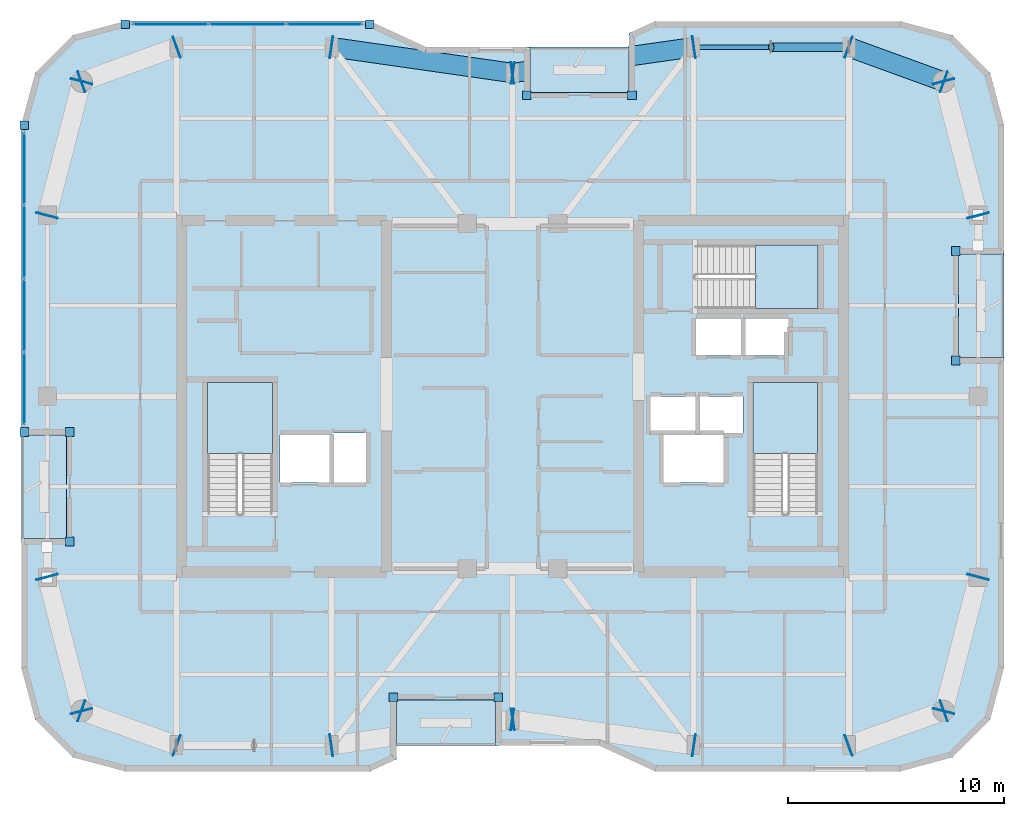
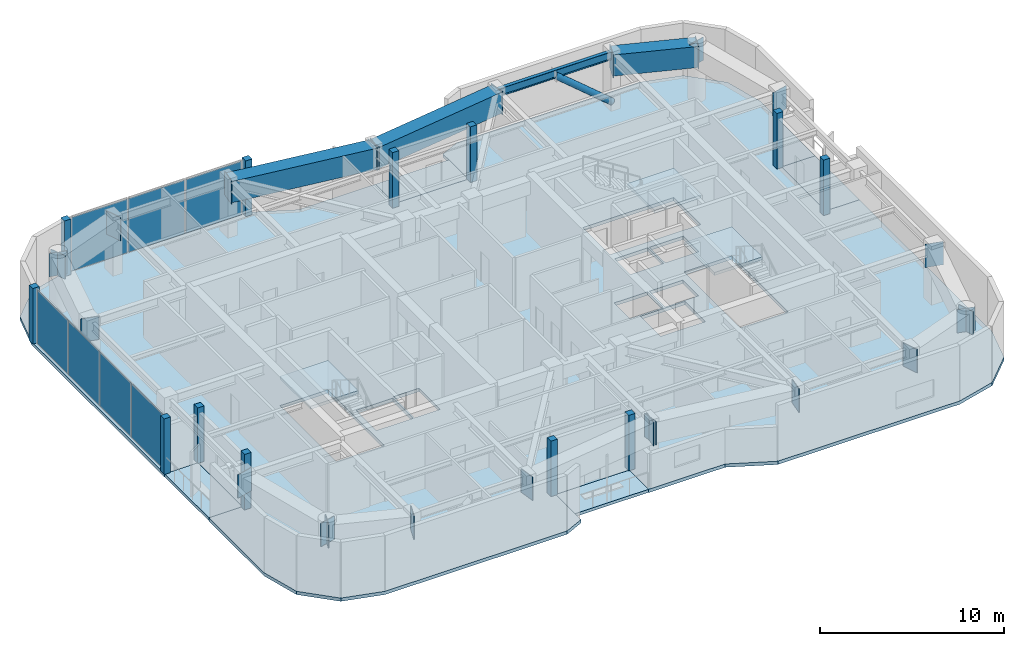
# One storey, part 7 of 15: 43 plates, 8 slabs, 4 beams, 1 member, 5 elements without a shape of their own.
"""IFC4 building model written with IfcOpenShell, lengths in metres."""

from ifc_helpers import new_model, si_unit, direction, frame, origin, origin_2d, place, context, subcontext, project, spatial, polyline, rectangle, hollow_rectangle, hollow_circle, i_section, outline, extrude, material, layer, layer_set, material_profile, profile_set, type_object, element, aggregate, save


model = new_model("IFC4")

# Units and contexts
model_context = context("Model", 3, precision=1e-05, world=origin(), true_north=direction((0.0, 1.0)))
body_context = subcontext(model_context, "Body", "Model", "MODEL_VIEW")
ifc_project = project(units=[si_unit("LENGTHUNIT", "METRE"), si_unit("AREAUNIT", "SQUARE_METRE"), si_unit("VOLUMEUNIT", "CUBIC_METRE"), si_unit("PLANEANGLEUNIT", "RADIAN"), si_unit("MASSUNIT", "GRAM", prefix="KILO")], contexts=[model_context])

# Site, building, storey
site_placement = place(None, origin())
site = spatial("IfcSite", under=ifc_project, at=site_placement, CompositionType="ELEMENT")
building_placement = place(site_placement, origin())
building = spatial("IfcBuilding", under=site, at=building_placement, Name="Kiyonajd Concourse Tower", CompositionType="ELEMENT")
storey_placement = place(building_placement, frame((0.0, 0.0, 318.0)))
storey = spatial("IfcBuildingStorey", under=building, at=storey_placement, Name="L80", CompositionType="ELEMENT", Elevation=318.0)

# Beams
ifc_material_1 = material(Name="Steel ASTM A992 Grade 50", Category="steel")
ifc_material_profile_1 = material_profile(ifc_material_1, i_section(OverallWidth=0.2109375, OverallDepth=0.5390625, WebThickness=0.01171875, FlangeThickness=0.018798828125, at=origin_2d()), Name="W530X109")
ifc_profile_set_1 = profile_set([ifc_material_profile_1], Name="Steel ASTM A992 Grade 50")
beam_type_1 = type_object("IfcBeamType", Name="BM-SPAN-530B", PredefinedType="SPANDREL", material=ifc_profile_set_1)
beam_1_placement = place(storey_placement, frame((63.60009765625, 52.199951171875, 3.410400390625), z_axis=(-1.0, 0.0, 0.0), x_axis=(0.0, -1.0, 0.0)))
element("IfcBeam", 1, at=beam_1_placement, inside=storey, type_object=beam_type_1, Name="L80 Perimeter Bundled Tube Spandrel", PredefinedType="SPANDREL", context=body_context, shape_type="SweptSolid", body=[
    extrude(i_section(OverallWidth=0.2109375, OverallDepth=0.5390625, WebThickness=0.01171875, FlangeThickness=0.018798828125, at=origin_2d()), origin(), (0.0, 0.0, 1.0), 7.2001953125),
])
ifc_material_2 = material(Name="Steel ASTM A572 Grade 50", Category="steel")
ifc_material_profile_2 = material_profile(ifc_material_2, hollow_rectangle(XDim=0.89990234375, YDim=1.39990234375, WallThickness=0.070068359375, at=origin_2d()), Name="BOX-1400x900x70")
ifc_profile_set_2 = profile_set([ifc_material_profile_2], Name="Steel ASTM A572 Grade 50")
beam_type_2 = type_object("IfcBeamType", Name="BM-XFER-1400", PredefinedType="BEAM", material=ifc_profile_set_2)
beam_2_placement = place(storey_placement, frame((68.0, 50.60009765625, 2.97998046875), z_axis=(-0.939801036019, 0.341722127901, 0.0), x_axis=(-0.341722127901, -0.939801036019, 0.0)))
element("IfcBeam", 2, at=beam_2_placement, inside=storey, type_object=beam_type_2, Name="L80 Perimeter Bundled Tube Spandrel", PredefinedType="BEAM", context=body_context, shape_type="SweptSolid", body=[
    extrude(hollow_rectangle(XDim=0.89990234375, YDim=1.39990234375, WallThickness=0.070068359375, at=origin_2d()), origin(), (0.0, 0.0, 1.0), 4.681640625),
])
for number, where, z_axis, x_axis, name in (
    (3, (56.39990234375, 52.199951171875, 2.97998046875), (-0.989950069105, -0.141417328072, 0.0), (0.141417328072, -0.989950069105, 0.0), "L80 Perimeter Bundled Tube Spandrel"),
    (4, (48.0, 51.0, 2.97998046875), (-0.989950069105, 0.141417328072, 0.0), (-0.141417328072, -0.989950069105, 0.0), "L80 Perimeter Bundled Tube Spandrel"),
):
    element("IfcBeam", number, at=place(storey_placement, frame(where, z_axis=z_axis, x_axis=x_axis)), inside=storey, type_object=beam_type_2, Name=name, PredefinedType="BEAM", context=body_context, shape_type="SweptSolid", body=[
        extrude(hollow_rectangle(XDim=0.89990234375, YDim=1.39990234375, WallThickness=0.070068359375, at=origin_2d()), origin(), (0.0, 0.0, 1.0), 8.485107421875),
    ])

# Member
ifc_material_3 = material(Name="Steel ASTM A500 Grade C", Category="steel")
ifc_material_profile_3 = material_profile(ifc_material_3, hollow_circle(Radius=0.202880859375, WallThickness=0.01904296875, at=origin_2d()), Name="CHS-406x19")
ifc_profile_set_3 = profile_set([ifc_material_profile_3], Name="Steel ASTM A500 Grade C")
member_type = type_object("IfcMemberType", Name="MB-PB-HIGH", PredefinedType="BRACE", material=ifc_profile_set_3)
member_placement = place(storey_placement, frame((63.60009765625, 52.199951171875, 0.300048828125), z_axis=(-0.765082043761, 0.0, 0.643932811957), x_axis=(0.0, -1.0, 0.0)))
element("IfcMember", 5, at=member_placement, inside=storey, type_object=member_type, Name="L80 Upper Zone Hollow Tube Brace PBN", PredefinedType="BRACE", context=body_context, shape_type="SweptSolid", body=[
    extrude(hollow_circle(Radius=0.202880859375, WallThickness=0.01904296875, at=origin_2d()), origin(), (0.0, 0.0, 1.0), 4.70556640625),
])

# Plates
ifc_layer_1 = layer(ifc_material_2, 0.031982421875)
ifc_layer_set_1 = layer_set([ifc_layer_1], Name="Steel ASTM A572 Grade 50")
plate_type_1 = type_object("IfcPlateType", Name="PL-CAP-540", PredefinedType="USERDEFINED", material=ifc_layer_set_1)
for number, where, z_axis, x_axis, name in (
    (6, (26.397216796875, 27.610595703125, 2.2099609375), (0.0, 0.0, 1.0), (-0.249873048837, 0.968278606324, 0.0), "L80 Welded Box Girder End Cap"),
    (7, (28.002685546875, 21.389404296875, 2.2099609375), (0.0, 0.0, 1.0), (0.249873048837, -0.968278606324, 0.0), "L80 Welded Box Girder End Cap"),
    (8, (27.98974609375, 21.40380859375, 2.2099609375), (0.0, 0.0, 1.0), (-0.939811951086, 0.341692107891, 0.0), "L80 Welded Box Girder End Cap"),
    (9, (32.410400390625, 19.796142578125, 2.2099609375), (0.0, 0.0, 1.0), (0.939811951086, -0.341692107891, 0.0), "L80 Welded Box Girder End Cap"),
    (10, (39.589111328125, 19.79833984375, 2.2099609375), (0.0, 0.0, 1.0), (-0.989949746297, -0.141419587774, 0.0), "L80 Welded Box Girder End Cap"),
    (11, (48.010986328125, 21.001708984375, 2.2099609375), (0.0, 0.0, 1.0), (0.989949746297, 0.141419587774, 0.0), "L80 Welded Box Girder End Cap"),
    (12, (47.989013671875, 21.001708984375, 2.2099609375), (0.0, 0.0, 1.0), (-0.989949746297, 0.141419587774, 0.0), "L80 Welded Box Girder End Cap"),
    (13, (56.410888671875, 19.79833984375, 2.2099609375), (0.0, 0.0, 1.0), (0.989949746297, -0.141419587774, 0.0), "L80 Welded Box Girder End Cap"),
    (14, (63.589599609375, 19.796142578125, 2.2099609375), (0.0, 0.0, 1.0), (-0.939811951086, -0.341692107891, 0.0), "L80 Welded Box Girder End Cap"),
    (15, (68.01025390625, 21.40380859375, 2.2099609375), (0.0, 0.0, 1.0), (0.939811951086, 0.341692107891, 0.0), "L80 Welded Box Girder End Cap"),
    (16, (67.997314453125, 21.389404296875, 2.2099609375), (0.0, 0.0, 1.0), (-0.249873048837, -0.968278606324, 0.0), "L80 Welded Box Girder End Cap"),
    (17, (69.602783203125, 27.610595703125, 2.2099609375), (0.0, 0.0, 1.0), (0.249873048837, 0.968278606324, 0.0), "L80 Welded Box Girder End Cap"),
    (18, (69.602783203125, 44.389404296875, 2.2099609375), (0.0, 0.0, 1.0), (0.249873048837, -0.968278606324, 0.0), "L80 Welded Box Girder End Cap"),
    (19, (67.997314453125, 50.610595703125, 2.2099609375), (0.0, 0.0, 1.0), (-0.249873048837, 0.968278606324, 0.0), "L80 Welded Box Girder End Cap"),
    (20, (68.01025390625, 50.59619140625, 2.2099609375), (0.0, 0.0, 1.0), (0.939811951086, -0.341692107891, 0.0), "L80 Welded Box Girder End Cap"),
    (21, (63.589599609375, 52.203857421875, 2.2099609375), (0.0, 0.0, 1.0), (-0.939811951086, 0.341692107891, 0.0), "L80 Welded Box Girder End Cap"),
    (22, (56.410888671875, 52.20166015625, 2.2099609375), (0.0, 0.0, 1.0), (0.989949746297, 0.141419587774, 0.0), "L80 Welded Box Girder End Cap"),
    (23, (47.989013671875, 50.998291015625, 2.2099609375), (0.0, 0.0, 1.0), (-0.989949746297, -0.141419587774, 0.0), "L80 Welded Box Girder End Cap"),
    (24, (48.010986328125, 50.998291015625, 2.2099609375), (0.0, 0.0, 1.0), (0.989949746297, -0.141419587774, 0.0), "L80 Welded Box Girder End Cap"),
    (25, (39.589111328125, 52.20166015625, 2.2099609375), (0.0, 0.0, 1.0), (-0.989949746297, 0.141419587774, 0.0), "L80 Welded Box Girder End Cap"),
    (26, (32.410400390625, 52.203857421875, 2.2099609375), (0.0, 0.0, 1.0), (0.939811951086, 0.341692107891, 0.0), "L80 Welded Box Girder End Cap"),
    (27, (27.98974609375, 50.59619140625, 2.2099609375), (0.0, 0.0, 1.0), (-0.939811951086, -0.341692107891, 0.0), "L80 Welded Box Girder End Cap"),
    (28, (28.002685546875, 50.610595703125, 2.2099609375), (0.0, 0.0, 1.0), (0.249873048837, 0.968278606324, 0.0), "L80 Welded Box Girder End Cap"),
    (29, (26.397216796875, 44.389404296875, 2.2099609375), (0.0, 0.0, 1.0), (-0.249873048837, -0.968278606324, 0.0), "L80 Welded Box Girder End Cap"),
):
    element("IfcPlate", number, at=place(storey_placement, frame(where, z_axis=z_axis, x_axis=x_axis)), inside=storey, type_object=plate_type_1, Name=name, ObjectType="CAP PLATE", PredefinedType="USERDEFINED", context=body_context, shape_type="SweptSolid", body=[
        extrude(rectangle(XDim=0.035888671875, YDim=1.02001953125, at=origin_2d()), origin(), (0.0, 0.0, 1.0), 1.5400390625),
    ])

# Curtain wall, plates
ifc_material_4 = material(Name="Thermally Broken Anodised Aluminium", Category="aluminium")
ifc_layer_2 = layer(ifc_material_4, 0.179931640625)
ifc_layer_set_2 = layer_set([ifc_layer_2], Name="Thermally Broken Anodised Aluminium")
curtain_wall_type = type_object("IfcCurtainWallType", Name="CW-SYS-04", PredefinedType="NOTDEFINED", material=ifc_layer_set_2)
curtain_wall_1_placement = place(storey_placement, origin())
curtain_wall_1 = element("IfcCurtainWall", 30, at=curtain_wall_1_placement, inside=storey, type_object=curtain_wall_type, Name="L80 Unitised Curtain Wall CW4", PredefinedType="NOTDEFINED")
ifc_material_5 = material(Name="Double Low-E Insulated Glass", Category="glass")
ifc_layer_3 = layer(ifc_material_5, 0.033935546875)
ifc_layer_set_3 = layer_set([ifc_layer_3], Name="Double Low-E Insulated Glass")
plate_type_2 = type_object("IfcPlateType", Name="PL-CW-VIS34", PredefinedType="CURTAIN_PANEL", material=ifc_layer_set_3)
plate_1_placement = place(storey_placement, frame((25.340087890625, 36.35400390625, 0.06494140625), z_axis=(0.0, 0.0, 1.0), x_axis=(0.0, 1.0, 0.0)))
plate_1 = element("IfcPlate", 31, at=plate_1_placement, type_object=plate_type_2, Name="CW4 panel 1.1", PredefinedType="CURTAIN_PANEL", context=body_context, shape_type="SweptSolid", body=[
    extrude(rectangle(XDim=3.31787109375, YDim=0.033935546875, at=origin_2d()), origin(), (0.0, 0.0, 1.0), 3.550048828125),
])
plate_2_placement = place(storey_placement, frame((25.340087890625, 39.753173828125, 0.06494140625), z_axis=(0.0, 0.0, 1.0), x_axis=(0.0, 1.0, 0.0)))
plate_2 = element("IfcPlate", 32, at=plate_2_placement, type_object=plate_type_2, Name="CW4 panel 2.1", PredefinedType="CURTAIN_PANEL", context=body_context, shape_type="SweptSolid", body=[
    extrude(rectangle(XDim=3.350341796875, YDim=0.033935546875, at=origin_2d()), origin(), (0.0, 0.0, 1.0), 3.550048828125),
])
plate_3_placement = place(storey_placement, frame((25.340087890625, 43.16845703125, 0.06494140625), z_axis=(0.0, 0.0, 1.0), x_axis=(0.0, 1.0, 0.0)))
plate_3 = element("IfcPlate", 33, at=plate_3_placement, type_object=plate_type_2, Name="CW4 panel 3.1", PredefinedType="CURTAIN_PANEL", context=body_context, shape_type="SweptSolid", body=[
    extrude(rectangle(XDim=3.350341796875, YDim=0.033935546875, at=origin_2d()), origin(), (0.0, 0.0, 1.0), 3.550048828125),
])
plate_4_placement = place(storey_placement, frame((25.340087890625, 46.567626953125, 0.06494140625), z_axis=(0.0, 0.0, 1.0), x_axis=(0.0, 1.0, 0.0)))
plate_4 = element("IfcPlate", 34, at=plate_4_placement, type_object=plate_type_2, Name="CW4 panel 4.1", PredefinedType="CURTAIN_PANEL", context=body_context, shape_type="SweptSolid", body=[
    extrude(rectangle(XDim=3.31787109375, YDim=0.033935546875, at=origin_2d()), origin(), (0.0, 0.0, 1.0), 3.550048828125),
])
aggregate(curtain_wall_1, [plate_1, plate_2, plate_3, plate_4])

curtain_wall_2_placement = place(storey_placement, origin())
curtain_wall_2 = element("IfcCurtainWall", 35, at=curtain_wall_2_placement, inside=storey, type_object=curtain_wall_type, Name="L80 Unitised Curtain Wall CW4", PredefinedType="NOTDEFINED")
plate_5_placement = place(storey_placement, frame((32.119873046875, 53.260009765625, 0.06494140625), z_axis=(0.0, 0.0, 1.0), x_axis=(1.0, 0.0, 0.0)))
plate_5 = element("IfcPlate", 36, at=plate_5_placement, type_object=plate_type_2, Name="CW4 panel 1.1", PredefinedType="CURTAIN_PANEL", context=body_context, shape_type="SweptSolid", body=[
    extrude(rectangle(XDim=3.492919921875, YDim=0.033935546875, at=origin_2d()), origin(), (0.0, 0.0, 1.0), 3.550048828125),
])
plate_6_placement = place(storey_placement, frame((35.69384765625, 53.260009765625, 0.06494140625), z_axis=(0.0, 0.0, 1.0), x_axis=(1.0, 0.0, 0.0)))
plate_6 = element("IfcPlate", 37, at=plate_6_placement, type_object=plate_type_2, Name="CW4 panel 2.1", PredefinedType="CURTAIN_PANEL", context=body_context, shape_type="SweptSolid", body=[
    extrude(rectangle(XDim=3.525390625, YDim=0.033935546875, at=origin_2d()), origin(), (0.0, 0.0, 1.0), 3.550048828125),
])
plate_7_placement = place(storey_placement, frame((39.267822265625, 53.260009765625, 0.06494140625), z_axis=(0.0, 0.0, 1.0), x_axis=(1.0, 0.0, 0.0)))
plate_7 = element("IfcPlate", 38, at=plate_7_placement, type_object=plate_type_2, Name="CW4 panel 3.1", PredefinedType="CURTAIN_PANEL", context=body_context, shape_type="SweptSolid", body=[
    extrude(rectangle(XDim=3.492919921875, YDim=0.033935546875, at=origin_2d()), origin(), (0.0, 0.0, 1.0), 3.550048828125),
])
aggregate(curtain_wall_2, [plate_5, plate_6, plate_7])

# Plates
ifc_layer_4 = layer(ifc_material_4, 0.39990234375)
ifc_layer_set_4 = layer_set([ifc_layer_4], Name="Thermally Broken Anodised Aluminium")
plate_type_3 = type_object("IfcPlateType", Name="PL-JMB-400", PredefinedType="USERDEFINED", material=ifc_layer_set_4)
for number, where, z_axis, x_axis, name in (
    (39, (27.43994140625, 29.260009765625, 0.0), (0.0, 0.0, 1.0), (1.0, 0.0, 0.0), "L80 Facade Jamb Closure Plate 01"),
    (40, (27.43994140625, 34.340087890625, 0.0), (0.0, 0.0, 1.0), (1.0, 0.0, 0.0), "L80 Facade Jamb Closure Plate 02"),
    (41, (25.340087890625, 34.340087890625, 0.0), (0.0, 0.0, 1.0), (1.0, 0.0, 0.0), "L80 Facade Jamb Closure Plate 03"),
    (42, (25.340087890625, 48.58154296875, 0.0), (0.0, 0.0, 1.0), (1.0, 0.0, 0.0), "L80 Facade Jamb Closure Plate 04"),
    (43, (30.018310546875, 53.260009765625, 0.0), (0.0, 0.0, 1.0), (1.0, 0.0, 0.0), "L80 Facade Jamb Closure Plate 05"),
    (44, (41.369384765625, 53.260009765625, 0.0), (0.0, 0.0, 1.0), (1.0, 0.0, 0.0), "L80 Facade Jamb Closure Plate 06"),
    (45, (48.659912109375, 49.9599609375, 0.0), (0.0, 0.0, 1.0), (1.0, 0.0, 0.0), "L80 Facade Jamb Closure Plate 07"),
    (46, (53.5400390625, 49.9599609375, 0.0), (0.0, 0.0, 1.0), (1.0, 0.0, 0.0), "L80 Facade Jamb Closure Plate 08"),
    (47, (68.56005859375, 42.739990234375, 0.0), (0.0, 0.0, 1.0), (1.0, 0.0, 0.0), "L80 Facade Jamb Closure Plate 09"),
    (48, (68.56005859375, 37.659912109375, 0.0), (0.0, 0.0, 1.0), (1.0, 0.0, 0.0), "L80 Facade Jamb Closure Plate 10"),
    (49, (47.340087890625, 22.0400390625, 0.0), (0.0, 0.0, 1.0), (1.0, 0.0, 0.0), "L80 Facade Jamb Closure Plate 11"),
    (50, (42.4599609375, 22.0400390625, 0.0), (0.0, 0.0, 1.0), (1.0, 0.0, 0.0), "L80 Facade Jamb Closure Plate 12"),
):
    element("IfcPlate", number, at=place(storey_placement, frame(where, z_axis=z_axis, x_axis=x_axis)), inside=storey, type_object=plate_type_3, Name=name, ObjectType="JAMB PLATE", PredefinedType="USERDEFINED", context=body_context, shape_type="SweptSolid", body=[
        extrude(rectangle(XDim=0.39990234375, YDim=0.39990234375, at=origin_2d()), origin(), (0.0, 0.0, 1.0), 3.679931640625),
    ])

# Stair, slab
ifc_material_6 = material(Name="Concrete C40/50", Category="concrete")
stair_type = type_object("IfcStairType", Name="ST-DLG-22R", PredefinedType="HALF_TURN_STAIR", material=ifc_material_6)
stair_1_placement = place(storey_placement, origin())
stair_1 = element("IfcStair", 51, at=stair_1_placement, inside=storey, type_object=stair_type, Name="L80 Protected Exit Stair ST1", PredefinedType="HALF_TURN_STAIR")
ifc_layer_5 = layer(ifc_material_6, 0.199951171875)
ifc_layer_set_5 = layer_set([ifc_layer_5], Name="Concrete C40/50")
slab_type_1 = type_object("IfcSlabType", Name="SL-LND-200", PredefinedType="LANDING", material=ifc_layer_set_5)
slab_1_placement = place(storey_placement, frame((0.0, 0.0, 1.75)))
slab_1 = element("IfcSlab", 52, at=slab_1_placement, type_object=slab_type_1, Name="ST1 landing 1", PredefinedType="LANDING", context=body_context, shape_type="SweptSolid", body=[
    extrude(outline(polyline([(36.85009765625, 33.35009765625), (36.85009765625, 36.64990234375), (33.85009765625, 36.64990234375), (33.85009765625, 33.35009765625), (36.85009765625, 33.35009765625)])), origin(), (0.0, 0.0, 1.0), 0.199951171875),
])
aggregate(stair_1, [slab_1])

stair_2_placement = place(storey_placement, origin())
stair_2 = element("IfcStair", 53, at=stair_2_placement, inside=storey, type_object=stair_type, Name="L80 Protected Exit Stair ST2", PredefinedType="HALF_TURN_STAIR")
slab_2_placement = place(storey_placement, frame((0.0, 0.0, 1.75)))
slab_2 = element("IfcSlab", 54, at=slab_2_placement, type_object=slab_type_1, Name="ST2 landing 1", PredefinedType="LANDING", context=body_context, shape_type="SweptSolid", body=[
    extrude(outline(polyline([(62.14990234375, 33.35009765625), (62.14990234375, 36.64990234375), (59.14990234375, 36.64990234375), (59.14990234375, 33.35009765625), (62.14990234375, 33.35009765625)])), origin(), (0.0, 0.0, 1.0), 0.199951171875),
])
aggregate(stair_2, [slab_2])

stair_3_placement = place(storey_placement, origin())
stair_3 = element("IfcStair", 55, at=stair_3_placement, inside=storey, type_object=stair_type, Name="L80 Protected Exit Stair ST3", PredefinedType="HALF_TURN_STAIR")
slab_3_placement = place(storey_placement, frame((0.0, 0.0, 1.75)))
slab_3 = element("IfcSlab", 56, at=slab_3_placement, type_object=slab_type_1, Name="ST3 landing 1", PredefinedType="LANDING", context=body_context, shape_type="SweptSolid", body=[
    extrude(outline(polyline([(59.280029296875, 40.080078125), (62.179931640625, 40.080078125), (62.179931640625, 43.02001953125), (59.280029296875, 43.02001953125), (59.280029296875, 40.080078125)])), origin(), (0.0, 0.0, 1.0), 0.199951171875),
])
aggregate(stair_3, [slab_3])

# Slabs
ifc_material_7 = material(Name="Precast concrete C50/60", Category="concrete")
ifc_layer_6 = layer(ifc_material_7, 0.199951171875)
ifc_layer_set_6 = layer_set([ifc_layer_6], Name="Precast concrete C50/60")
slab_type_2 = type_object("IfcSlabType", Name="SL-LOG-200", PredefinedType="FLOOR", material=ifc_layer_set_6)
slab_4_placement = place(storey_placement, frame((0.0, 0.0, -0.199951171875)))
element("IfcSlab", 57, at=slab_4_placement, inside=storey, type_object=slab_type_2, Name="L80 Recessed Engawa Loggia Terrace Slab LOG-S", PredefinedType="FLOOR", context=body_context, shape_type="SweptSolid", body=[
    extrude(outline(polyline([(42.60009765625, 19.800048828125), (47.199951171875, 19.800048828125), (47.199951171875, 21.89990234375), (42.60009765625, 21.89990234375), (42.60009765625, 19.800048828125)])), origin(), (0.0, 0.0, 1.0), 0.199951171875),
])
slab_5_placement = place(storey_placement, frame((0.0, 0.0, -0.199951171875)))
element("IfcSlab", 58, at=slab_5_placement, inside=storey, type_object=slab_type_2, Name="L80 Recessed Engawa Loggia Terrace Slab LOG-N", PredefinedType="FLOOR", context=body_context, shape_type="SweptSolid", body=[
    extrude(outline(polyline([(48.800048828125, 50.10009765625), (53.39990234375, 50.10009765625), (53.39990234375, 52.199951171875), (48.800048828125, 52.199951171875), (48.800048828125, 50.10009765625)])), origin(), (0.0, 0.0, 1.0), 0.199951171875),
])
slab_6_placement = place(storey_placement, frame((0.0, 0.0, -0.199951171875)))
element("IfcSlab", 59, at=slab_6_placement, inside=storey, type_object=slab_type_2, Name="L80 Recessed Engawa Loggia Terrace Slab LOG-W", PredefinedType="FLOOR", context=body_context, shape_type="SweptSolid", body=[
    extrude(outline(polyline([(25.199951171875, 29.39990234375), (27.300048828125, 29.39990234375), (27.300048828125, 34.199951171875), (25.199951171875, 34.199951171875), (25.199951171875, 29.39990234375)])), origin(), (0.0, 0.0, 1.0), 0.199951171875),
])
slab_7_placement = place(storey_placement, frame((0.0, 0.0, -0.199951171875)))
element("IfcSlab", 60, at=slab_7_placement, inside=storey, type_object=slab_type_2, Name="L80 Recessed Engawa Loggia Terrace Slab LOG-E", PredefinedType="FLOOR", context=body_context, shape_type="SweptSolid", body=[
    extrude(outline(polyline([(68.699951171875, 37.800048828125), (70.800048828125, 37.800048828125), (70.800048828125, 42.60009765625), (68.699951171875, 42.60009765625), (68.699951171875, 37.800048828125)])), origin(), (0.0, 0.0, 1.0), 0.199951171875),
])
ifc_layer_7 = layer(ifc_material_6, 0.219970703125)
ifc_layer_set_7 = layer_set([ifc_layer_7], Name="Concrete C40/50")
slab_type_3 = type_object("IfcSlabType", Name="SL-TWR-220", PredefinedType="FLOOR", material=ifc_layer_set_7)
slab_8_placement = place(storey_placement, frame((0.0, 0.0, -0.219970703125)))
element("IfcSlab", 61, at=slab_8_placement, inside=storey, type_object=slab_type_3, Name="L80 Tower Conditioned Floor Slab", PredefinedType="FLOOR", context=body_context, shape_type="SweptSolid", body=[
    extrude(outline(polyline([(25.843017578125, 21.0), (25.199951171875, 23.39990234375), (25.199951171875, 29.39990234375), (27.300048828125, 29.39990234375), (27.300048828125, 34.199951171875), (25.199951171875, 34.199951171875), (25.199951171875, 48.60009765625), (25.843017578125, 51.0), (27.60009765625, 52.757080078125), (30.0, 53.39990234375), (41.39990234375, 53.39990234375), (44.0, 52.199951171875), (48.800048828125, 52.199951171875), (48.800048828125, 50.10009765625), (53.39990234375, 50.10009765625), (53.39990234375, 52.845947265625), (54.60009765625, 53.39990234375), (66.0, 53.39990234375), (68.39990234375, 52.757080078125), (70.156982421875, 51.0), (70.800048828125, 48.60009765625), (70.800048828125, 42.60009765625), (68.699951171875, 42.60009765625), (68.699951171875, 37.800048828125), (70.800048828125, 37.800048828125), (70.800048828125, 23.39990234375), (70.156982421875, 21.0), (68.39990234375, 19.242919921875), (66.0, 18.60009765625), (54.60009765625, 18.60009765625), (52.0, 19.800048828125), (47.199951171875, 19.800048828125), (47.199951171875, 21.89990234375), (42.60009765625, 21.89990234375), (42.60009765625, 19.154052734375), (41.39990234375, 18.60009765625), (30.0, 18.60009765625), (27.60009765625, 19.242919921875), (25.843017578125, 21.0)]), holes=[polyline([(39.5, 32.0), (37.199951171875, 32.0), (37.199951171875, 34.199951171875), (39.5, 34.199951171875), (39.5, 32.0)]), polyline([(57.800048828125, 32.0), (55.0, 32.0), (55.0, 34.199951171875), (57.800048828125, 34.199951171875), (57.800048828125, 32.0)]), polyline([(41.199951171875, 32.0), (39.60009765625, 32.0), (39.60009765625, 34.300048828125), (41.199951171875, 34.300048828125), (41.199951171875, 32.0)]), polyline([(33.85009765625, 30.550048828125), (33.85009765625, 36.64990234375), (36.85009765625, 36.64990234375), (36.85009765625, 30.550048828125), (33.85009765625, 30.550048828125)]), polyline([(59.14990234375, 30.550048828125), (59.14990234375, 36.64990234375), (62.14990234375, 36.64990234375), (62.14990234375, 30.550048828125), (59.14990234375, 30.550048828125)]), polyline([(56.5, 34.300048828125), (54.39990234375, 34.300048828125), (54.39990234375, 36.0), (56.5, 36.0), (56.5, 34.300048828125)]), polyline([(58.699951171875, 34.300048828125), (56.60009765625, 34.300048828125), (56.60009765625, 36.0), (58.699951171875, 36.0), (58.699951171875, 34.300048828125)]), polyline([(58.60009765625, 37.89990234375), (56.5, 37.89990234375), (56.5, 39.60009765625), (58.60009765625, 39.60009765625), (58.60009765625, 37.89990234375)]), polyline([(58.699951171875, 37.89990234375), (58.699951171875, 39.60009765625), (60.800048828125, 39.60009765625), (60.800048828125, 37.89990234375), (58.699951171875, 37.89990234375)]), polyline([(56.47998046875, 43.02001953125), (62.179931640625, 43.02001953125), (62.179931640625, 40.080078125), (56.47998046875, 40.080078125), (56.47998046875, 43.02001953125)])]), origin(), (0.0, 0.0, 1.0), 0.219970703125),
])

save(model, "model.ifc")
